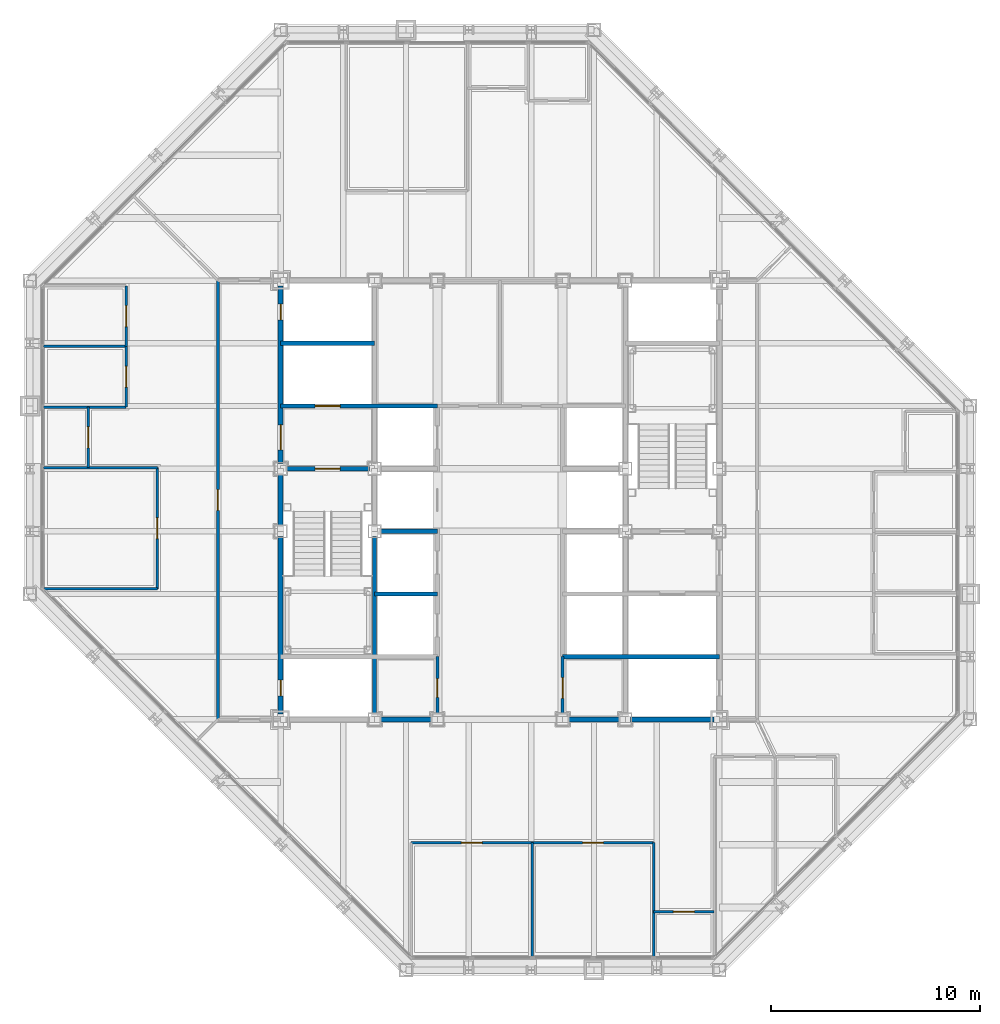
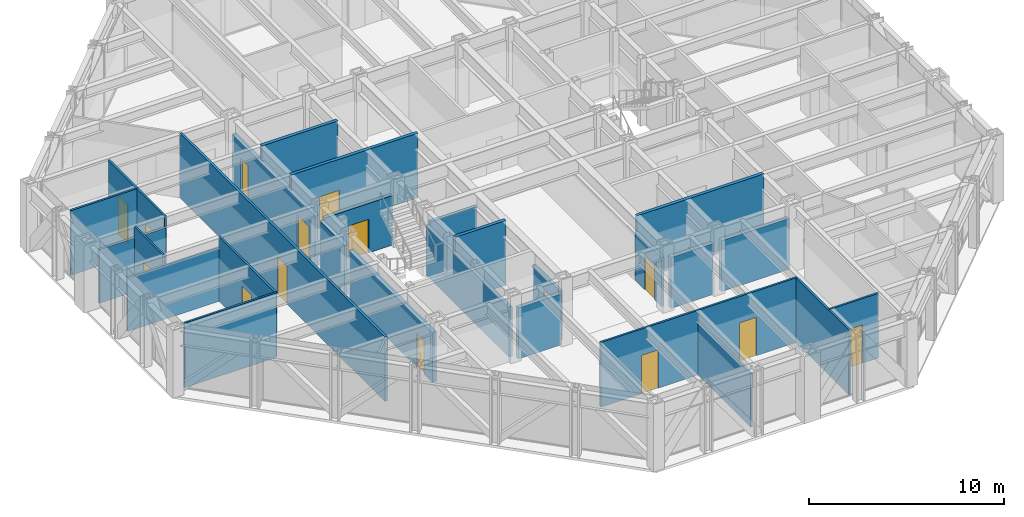
# One storey, part 11 of 16: 29 walls, 15 doors, 15 openings.
"""IFC4 building model written with IfcOpenShell, lengths in metres."""

from ifc_helpers import new_model, si_unit, direction, frame, frame_2d, origin, place, context, subcontext, project, spatial, rectangle, extrude, material, layer, layer_set, type_object, element, fill, save


model = new_model("IFC4")

# Units and contexts
model_context = context("Model", 3, precision=1e-05, world=origin(), true_north=direction((0.0, 1.0)))
body_context = subcontext(model_context, "Body", "Model", "MODEL_VIEW")
ifc_project = project(units=[si_unit("LENGTHUNIT", "METRE"), si_unit("AREAUNIT", "SQUARE_METRE"), si_unit("VOLUMEUNIT", "CUBIC_METRE"), si_unit("PLANEANGLEUNIT", "RADIAN"), si_unit("MASSUNIT", "GRAM", prefix="KILO")], contexts=[model_context])

# Site, building, storey
site_placement = place(None, origin())
site = spatial("IfcSite", under=ifc_project, at=site_placement, CompositionType="ELEMENT")
building_placement = place(site_placement, origin())
building = spatial("IfcBuilding", under=site, at=building_placement, Name="Chuquiago Exchange Tower", CompositionType="ELEMENT")
storey_placement = place(building_placement, frame((0.0, 0.0, 213.89990234375)))
storey = spatial("IfcBuildingStorey", under=building, at=storey_placement, Name="L47", CompositionType="ELEMENT", Elevation=213.89990234375)

# Wall, opening, door
ifc_material_1 = material(Name="Concrete masonry, fully grouted", Category="masonry")
ifc_layer_1 = layer(ifc_material_1, 0.25)
ifc_layer_set_1 = layer_set([ifc_layer_1], Name="W1 core wall 250")
wall_type_1 = type_object("IfcWallType", Name="W1 core wall 250", PredefinedType="SOLIDWALL", material=ifc_layer_set_1)
wall_1_placement = place(storey_placement, frame((12.0, 12.25, 0.0), z_axis=(0.0, 0.0, 1.0), x_axis=(0.0, 1.0, 0.0)))
wall_1 = element("IfcWall", 1, at=wall_1_placement, inside=storey, type_object=wall_type_1, Name="CW-L47-00-0", PredefinedType="SOLIDWALL", context=body_context, shape_type="SweptSolid", body=[
    extrude(rectangle(XDim=8.5, YDim=0.25, at=frame_2d((4.25, 0.0))), origin(), (0.0, 0.0, 1.0), 3.113037109375),
])
opening_1_placement = place(wall_1_placement, frame((0.875, 0.0, 0.0)))
opening_1 = element("IfcOpeningElement", 2, at=opening_1_placement, cuts=wall_1, Name="Opening L47-007", PredefinedType="OPENING", context=body_context, shape_type="SweptSolid", body=[
    extrude(rectangle(XDim=0.75, YDim=2.10009765625, at=frame_2d((0.375, 1.050048828125))), frame((0.0, 0.135009765625, 0.0), z_axis=(0.0, -1.0, 0.0), x_axis=(1.0, 0.0, 0.0)), (0.0, 0.0, 1.0), 0.27001953125),
])
ifc_material_2 = material(Name="Steel door, painted", Category="steel")
door_type_1 = type_object("IfcDoorType", Name="D6 riser access door 750x2100", OperationType="SINGLE_SWING_LEFT", PredefinedType="DOOR", material=ifc_material_2)
door_1_placement = place(opening_1_placement, origin())
door_1 = element("IfcDoor", 3, at=door_1_placement, inside=storey, type_object=door_type_1, Name="Riser RW1 door", OperationType="SINGLE_SWING_LEFT", OverallHeight=2.10009765625, OverallWidth=0.75, PredefinedType="DOOR", context=body_context, shape_type="SweptSolid", body=[
    extrude(rectangle(XDim=0.75, YDim=2.10009765625, at=frame_2d((0.375, 1.050048828125))), frame((0.0, 0.02490234375, 0.0), z_axis=(0.0, -1.0, 0.0), x_axis=(1.0, 0.0, 0.0)), (0.0, 0.0, 1.0), 0.050048828125),
])
fill(opening_1, door_1)

# Wall
wall_2_placement = place(storey_placement, frame((12.0, 21.25, 0.0), z_axis=(0.0, 0.0, 1.0), x_axis=(0.0, 1.0, 0.0)))
element("IfcWall", 4, at=wall_2_placement, inside=storey, type_object=wall_type_1, Name="CW-L47-00-1", PredefinedType="SOLIDWALL", context=body_context, shape_type="SweptSolid", body=[
    extrude(rectangle(XDim=2.5, YDim=0.25, at=frame_2d((1.25, 0.0))), origin(), (0.0, 0.0, 1.0), 3.113037109375),
])

# Wall, openings, doors
wall_3_placement = place(storey_placement, frame((12.0, 24.25, 0.0), z_axis=(0.0, 0.0, 1.0), x_axis=(0.0, 1.0, 0.0)))
wall_3 = element("IfcWall", 5, at=wall_3_placement, inside=storey, type_object=wall_type_1, Name="CW-L47-00-2", PredefinedType="SOLIDWALL", context=body_context, shape_type="SweptSolid", body=[
    extrude(rectangle(XDim=8.5, YDim=0.25, at=frame_2d((4.25, 0.0))), origin(), (0.0, 0.0, 1.0), 3.113037109375),
])
opening_2_placement = place(wall_3_placement, frame((0.64990234375, 0.0, 0.0)))
opening_2 = element("IfcOpeningElement", 6, at=opening_2_placement, cuts=wall_3, Name="Opening L47-002", PredefinedType="OPENING", context=body_context, shape_type="SweptSolid", body=[
    extrude(rectangle(XDim=1.199951171875, YDim=2.10009765625, at=frame_2d((0.60009765625, 1.050048828125))), frame((0.0, 0.135009765625, 0.0), z_axis=(0.0, -1.0, 0.0), x_axis=(1.0, 0.0, 0.0)), (0.0, 0.0, 1.0), 0.27001953125),
])
opening_3_placement = place(wall_3_placement, frame((6.875, 0.0, 0.0)))
opening_3 = element("IfcOpeningElement", 7, at=opening_3_placement, cuts=wall_3, Name="Opening L47-008", PredefinedType="OPENING", context=body_context, shape_type="SweptSolid", body=[
    extrude(rectangle(XDim=0.75, YDim=2.10009765625, at=frame_2d((0.375, 1.050048828125))), frame((0.0, 0.135009765625, 0.0), z_axis=(0.0, -1.0, 0.0), x_axis=(1.0, 0.0, 0.0)), (0.0, 0.0, 1.0), 0.27001953125),
])
ifc_material_3 = material(Name="Steel door, painted", Category="steel")
door_type_2 = type_object("IfcDoorType", Name="D5 firefighting lobby door 1200x2100", OperationType="SINGLE_SWING_LEFT", PredefinedType="DOOR", material=ifc_material_3)
door_2_placement = place(opening_2_placement, frame((1.199951171875, 0.0, 0.0), z_axis=(0.0, 0.0, 1.0), x_axis=(-1.0, 0.0, 0.0)))
door_2 = element("IfcDoor", 8, at=door_2_placement, inside=storey, type_object=door_type_2, Name="Firefighting lobby 1 door", OperationType="SINGLE_SWING_RIGHT", OverallHeight=2.10009765625, OverallWidth=1.199951171875, PredefinedType="DOOR", context=body_context, shape_type="SweptSolid", body=[
    extrude(rectangle(XDim=1.199951171875, YDim=2.10009765625, at=frame_2d((0.60009765625, 1.050048828125))), frame((0.0, 0.02490234375, 0.0), z_axis=(0.0, -1.0, 0.0), x_axis=(1.0, 0.0, 0.0)), (0.0, 0.0, 1.0), 0.050048828125),
])
fill(opening_2, door_2)
door_3_placement = place(opening_3_placement, origin())
door_3 = element("IfcDoor", 9, at=door_3_placement, inside=storey, type_object=door_type_1, Name="Riser RW2 door", OperationType="SINGLE_SWING_RIGHT", OverallHeight=2.10009765625, OverallWidth=0.75, PredefinedType="DOOR", context=body_context, shape_type="SweptSolid", body=[
    extrude(rectangle(XDim=0.75, YDim=2.10009765625, at=frame_2d((0.375, 1.050048828125))), frame((0.0, 0.02490234375, 0.0), z_axis=(0.0, -1.0, 0.0), x_axis=(1.0, 0.0, 0.0)), (0.0, 0.0, 1.0), 0.050048828125),
])
fill(opening_3, door_3)

# Walls
for number, where, z_axis, x_axis, name in (
    (10, (16.75, 12.0, 0.0), (0.0, 0.0, 1.0), (1.0, 0.0, 0.0), "CW-L47-01-1"),
    (11, (25.75, 12.0, 0.0), (0.0, 0.0, 1.0), (1.0, 0.0, 0.0), "CW-L47-02-0"),
):
    element("IfcWall", number, at=place(storey_placement, frame(where, z_axis=z_axis, x_axis=x_axis)), inside=storey, type_object=wall_type_1, Name=name, PredefinedType="SOLIDWALL", context=body_context, shape_type="SweptSolid", body=[
        extrude(rectangle(XDim=2.5, YDim=0.25, at=frame_2d((1.25, 0.0))), origin(), (0.0, 0.0, 1.0), 3.181640625),
    ])
wall_4_placement = place(storey_placement, frame((28.75, 12.0, 0.0), z_axis=(0.0, 0.0, 1.0), x_axis=(1.0, 0.0, 0.0)))
element("IfcWall", 12, at=wall_4_placement, inside=storey, type_object=wall_type_1, Name="CW-L47-02-1", PredefinedType="SOLIDWALL", context=body_context, shape_type="SweptSolid", body=[
    extrude(rectangle(XDim=4.0, YDim=0.25, at=frame_2d((2.0, 0.0))), origin(), (0.0, 0.0, 1.0), 3.181640625),
])

# Wall, opening, door
ifc_material_4 = material(Name="Gypsum board on steel studs, acoustic insulation", Category="steel")
ifc_layer_2 = layer(ifc_material_4, 0.14990234375)
ifc_layer_set_2 = layer_set([ifc_layer_2], Name="W11 corridor wall 150")
wall_type_2 = type_object("IfcWallType", Name="W11 corridor wall 150", PredefinedType="PARTITIONING", material=ifc_layer_set_2)
wall_5_placement = place(storey_placement, frame((9.0, 12.0, 0.0), z_axis=(0.0, 0.0, 1.0), x_axis=(0.0, 1.0, 0.0)))
wall_5 = element("IfcWall", 13, at=wall_5_placement, inside=storey, type_object=wall_type_2, Name="PW-L47-GW0", PredefinedType="PARTITIONING", context=body_context, shape_type="SweptSolid", body=[
    extrude(rectangle(XDim=21.0, YDim=0.14990234375, at=frame_2d((10.5, 0.0))), origin(), (0.0, 0.0, 1.0), 4.0400390625),
])
opening_4_placement = place(wall_5_placement, frame((10.0, 0.0, 0.0)))
opening_4 = element("IfcOpeningElement", 14, at=opening_4_placement, cuts=wall_5, Name="Opening L47-035", PredefinedType="OPENING", context=body_context, shape_type="SweptSolid", body=[
    extrude(rectangle(XDim=1.0, YDim=2.39990234375, at=frame_2d((0.5, 1.199951171875))), frame((0.0, 0.0849609375, 0.0), z_axis=(0.0, -1.0, 0.0), x_axis=(1.0, 0.0, 0.0)), (0.0, 0.0, 1.0), 0.169921875),
])
ifc_material_5 = material(Name="Timber door, laminate faced", Category="wood")
door_type_3 = type_object("IfcDoorType", Name="D9 room door 1000x2400", OperationType="SINGLE_SWING_LEFT", PredefinedType="DOOR", material=ifc_material_5)
door_4_placement = place(opening_4_placement, origin())
door_4 = element("IfcDoor", 15, at=door_4_placement, inside=storey, type_object=door_type_3, Name="Team area door", OperationType="SINGLE_SWING_LEFT", OverallHeight=2.39990234375, OverallWidth=1.0, PredefinedType="DOOR", context=body_context, shape_type="SweptSolid", body=[
    extrude(rectangle(XDim=1.0, YDim=2.39990234375, at=frame_2d((0.5, 1.199951171875))), frame((0.0, 0.02490234375, 0.0), z_axis=(0.0, -1.0, 0.0), x_axis=(1.0, 0.0, 0.0)), (0.0, 0.0, 1.0), 0.050048828125),
])
fill(opening_4, door_4)

# Wall
ifc_material_6 = material(Name="Concrete masonry, fully grouted", Category="masonry")
ifc_layer_3 = layer(ifc_material_6, 0.199951171875)
ifc_layer_set_3 = layer_set([ifc_layer_3], Name="W2 shaft wall 200")
wall_type_3 = type_object("IfcWallType", Name="W2 shaft wall 200", PredefinedType="SOLIDWALL", material=ifc_layer_set_3)
wall_6_placement = place(storey_placement, frame((25.5, 15.0, 0.0), z_axis=(0.0, 0.0, 1.0), x_axis=(1.0, 0.0, 0.0)))
element("IfcWall", 16, at=wall_6_placement, inside=storey, type_object=wall_type_3, Name="CW-L47-04-0", PredefinedType="SOLIDWALL", context=body_context, shape_type="SweptSolid", body=[
    extrude(rectangle(XDim=7.5, YDim=0.199951171875, at=frame_2d((3.75, 0.0))), origin(), (0.0, 0.0, 1.0), 4.0400390625),
])

# Wall, opening, door
wall_7_placement = place(storey_placement, frame((12.25, 24.0, 0.0), z_axis=(0.0, 0.0, 1.0), x_axis=(1.0, 0.0, 0.0)))
wall_7 = element("IfcWall", 17, at=wall_7_placement, inside=storey, type_object=wall_type_3, Name="CW-L47-05-0", PredefinedType="SOLIDWALL", context=body_context, shape_type="SweptSolid", body=[
    extrude(rectangle(XDim=4.0, YDim=0.199951171875, at=frame_2d((2.0, 0.0))), origin(), (0.0, 0.0, 1.0), 3.090087890625),
])
opening_5_placement = place(wall_7_placement, frame((1.39990234375, 0.0, 0.0)))
opening_5 = element("IfcOpeningElement", 18, at=opening_5_placement, cuts=wall_7, Name="Opening L47-001", PredefinedType="OPENING", context=body_context, shape_type="SweptSolid", body=[
    extrude(rectangle(XDim=1.199951171875, YDim=2.10009765625, at=frame_2d((0.60009765625, 1.050048828125))), frame((0.0, 0.10986328125, 0.0), z_axis=(0.0, -1.0, 0.0), x_axis=(1.0, 0.0, 0.0)), (0.0, 0.0, 1.0), 0.219970703125),
])
ifc_material_7 = material(Name="Steel door, painted", Category="steel")
door_type_4 = type_object("IfcDoorType", Name="D4 stair door 1200x2100", OperationType="SINGLE_SWING_LEFT", PredefinedType="DOOR", material=ifc_material_7)
door_5_placement = place(opening_5_placement, frame((1.199951171875, 0.0, 0.0), z_axis=(0.0, 0.0, 1.0), x_axis=(-1.0, 0.0, 0.0)))
door_5 = element("IfcDoor", 19, at=door_5_placement, inside=storey, type_object=door_type_4, Name="Stair ST1 door", OperationType="SINGLE_SWING_RIGHT", OverallHeight=2.10009765625, OverallWidth=1.199951171875, PredefinedType="DOOR", context=body_context, shape_type="SweptSolid", body=[
    extrude(rectangle(XDim=1.199951171875, YDim=2.10009765625, at=frame_2d((0.60009765625, 1.050048828125))), frame((0.0, 0.02490234375, 0.0), z_axis=(0.0, -1.0, 0.0), x_axis=(1.0, 0.0, 0.0)), (0.0, 0.0, 1.0), 0.050048828125),
])
fill(opening_5, door_5)

wall_8_placement = place(storey_placement, frame((12.0, 27.0, 0.0), z_axis=(0.0, 0.0, 1.0), x_axis=(1.0, 0.0, 0.0)))
wall_8 = element("IfcWall", 20, at=wall_8_placement, inside=storey, type_object=wall_type_3, Name="CW-L47-07-0", PredefinedType="SOLIDWALL", context=body_context, shape_type="SweptSolid", body=[
    extrude(rectangle(XDim=7.5, YDim=0.199951171875, at=frame_2d((3.75, 0.0))), origin(), (0.0, 0.0, 1.0), 4.0400390625),
])
opening_6_placement = place(wall_8_placement, frame((1.64990234375, 0.0, 0.0)))
opening_6 = element("IfcOpeningElement", 21, at=opening_6_placement, cuts=wall_8, Name="Opening L47-005", PredefinedType="OPENING", context=body_context, shape_type="SweptSolid", body=[
    extrude(rectangle(XDim=1.199951171875, YDim=2.10009765625, at=frame_2d((0.60009765625, 1.050048828125))), frame((0.0, 0.10986328125, 0.0), z_axis=(0.0, -1.0, 0.0), x_axis=(1.0, 0.0, 0.0)), (0.0, 0.0, 1.0), 0.219970703125),
])
ifc_material_8 = material(Name="Stainless steel lift landing door", Category="steel")
door_type_5 = type_object("IfcDoorType", Name="LD2 firefighting lift landing door 1200x2100", OperationType="DOUBLE_DOOR_SLIDING", PredefinedType="DOOR", material=ifc_material_8)
door_6_placement = place(opening_6_placement, origin())
door_6 = element("IfcDoor", 22, at=door_6_placement, inside=storey, type_object=door_type_5, Name="Firefighting lift FL1 landing door", OperationType="DOUBLE_DOOR_SLIDING", OverallHeight=2.10009765625, OverallWidth=1.199951171875, PredefinedType="DOOR", context=body_context, shape_type="SweptSolid", body=[
    extrude(rectangle(XDim=1.199951171875, YDim=2.10009765625, at=frame_2d((0.60009765625, 1.050048828125))), frame((0.0, 0.02490234375, 0.0), z_axis=(0.0, -1.0, 0.0), x_axis=(1.0, 0.0, 0.0)), (0.0, 0.0, 1.0), 0.050048828125),
])
fill(opening_6, door_6)

# Walls
wall_9_placement = place(storey_placement, frame((12.0, 30.0, 0.0), z_axis=(0.0, 0.0, 1.0), x_axis=(1.0, 0.0, 0.0)))
element("IfcWall", 23, at=wall_9_placement, inside=storey, type_object=wall_type_3, Name="CW-L47-09-0", PredefinedType="SOLIDWALL", context=body_context, shape_type="SweptSolid", body=[
    extrude(rectangle(XDim=4.5, YDim=0.199951171875, at=frame_2d((2.25, 0.0))), origin(), (0.0, 0.0, 1.0), 4.0400390625),
])
wall_10_placement = place(storey_placement, frame((16.5, 12.25, 0.0), z_axis=(0.0, 0.0, 1.0), x_axis=(0.0, 1.0, 0.0)))
element("IfcWall", 24, at=wall_10_placement, inside=storey, type_object=wall_type_3, Name="CW-L47-13-0", PredefinedType="SOLIDWALL", context=body_context, shape_type="SweptSolid", body=[
    extrude(rectangle(XDim=8.5, YDim=0.199951171875, at=frame_2d((4.25, 0.0))), origin(), (0.0, 0.0, 1.0), 3.113037109375),
])
wall_11_placement = place(storey_placement, frame((16.5, 18.0, 0.0), z_axis=(0.0, 0.0, 1.0), x_axis=(1.0, 0.0, 0.0)))
element("IfcWall", 25, at=wall_11_placement, inside=storey, type_object=wall_type_3, Name="CW-L47-14-0", PredefinedType="SOLIDWALL", context=body_context, shape_type="SweptSolid", body=[
    extrude(rectangle(XDim=3.0, YDim=0.199951171875, at=frame_2d((1.5, 0.0))), origin(), (0.0, 0.0, 1.0), 4.0400390625),
])
wall_12_placement = place(storey_placement, frame((16.75, 21.0, 0.0), z_axis=(0.0, 0.0, 1.0), x_axis=(1.0, 0.0, 0.0)))
element("IfcWall", 26, at=wall_12_placement, inside=storey, type_object=wall_type_3, Name="CW-L47-16-0", PredefinedType="SOLIDWALL", context=body_context, shape_type="SweptSolid", body=[
    extrude(rectangle(XDim=2.75, YDim=0.199951171875, at=frame_2d((1.375, 0.0))), origin(), (0.0, 0.0, 1.0), 3.090087890625),
])

# Wall, opening, door
ifc_material_9 = material(Name="Gypsum board on steel studs", Category="steel")
ifc_layer_4 = layer(ifc_material_9, 0.14990234375)
ifc_layer_set_4 = layer_set([ifc_layer_4], Name="W3 core partition 150")
wall_type_4 = type_object("IfcWallType", Name="W3 core partition 150", PredefinedType="PARTITIONING", material=ifc_layer_set_4)
wall_13_placement = place(storey_placement, frame((19.5, 12.25, 0.0), z_axis=(0.0, 0.0, 1.0), x_axis=(0.0, 1.0, 0.0)))
wall_13 = element("IfcWall", 27, at=wall_13_placement, inside=storey, type_object=wall_type_4, Name="CW-L47-18-0", PredefinedType="PARTITIONING", context=body_context, shape_type="SweptSolid", body=[
    extrude(rectangle(XDim=2.75, YDim=0.14990234375, at=frame_2d((1.375, 0.0))), origin(), (0.0, 0.0, 1.0), 3.064697265625),
])
opening_7_placement = place(wall_13_placement, frame((0.800048828125, 0.0, 0.0)))
opening_7 = element("IfcOpeningElement", 28, at=opening_7_placement, cuts=wall_13, Name="Opening L47-014", PredefinedType="OPENING", context=body_context, shape_type="SweptSolid", body=[
    extrude(rectangle(XDim=0.89990234375, YDim=2.10009765625, at=frame_2d((0.449951171875, 1.050048828125))), frame((0.0, 0.0849609375, 0.0), z_axis=(0.0, -1.0, 0.0), x_axis=(1.0, 0.0, 0.0)), (0.0, 0.0, 1.0), 0.169921875),
])
ifc_material_10 = material(Name="Timber door, laminate faced", Category="wood")
door_type_6 = type_object("IfcDoorType", Name="D7 toilet door 900x2100", OperationType="SINGLE_SWING_LEFT", PredefinedType="DOOR", material=ifc_material_10)
door_7_placement = place(opening_7_placement, frame((0.89990234375, 0.0, 0.0), z_axis=(0.0, 0.0, 1.0), x_axis=(-1.0, 0.0, 0.0)))
door_7 = element("IfcDoor", 29, at=door_7_placement, inside=storey, type_object=door_type_6, Name="Cleaner door", OperationType="SINGLE_SWING_RIGHT", OverallHeight=2.10009765625, OverallWidth=0.89990234375, PredefinedType="DOOR", context=body_context, shape_type="SweptSolid", body=[
    extrude(rectangle(XDim=0.89990234375, YDim=2.10009765625, at=frame_2d((0.449951171875, 1.050048828125))), frame((0.0, 0.02490234375, 0.0), z_axis=(0.0, -1.0, 0.0), x_axis=(1.0, 0.0, 0.0)), (0.0, 0.0, 1.0), 0.050048828125),
])
fill(opening_7, door_7)

wall_14_placement = place(storey_placement, frame((25.5, 12.25, 0.0), z_axis=(0.0, 0.0, 1.0), x_axis=(0.0, 1.0, 0.0)))
wall_14 = element("IfcWall", 30, at=wall_14_placement, inside=storey, type_object=wall_type_4, Name="CW-L47-21-0", PredefinedType="PARTITIONING", context=body_context, shape_type="SweptSolid", body=[
    extrude(rectangle(XDim=2.75, YDim=0.14990234375, at=frame_2d((1.375, 0.0))), origin(), (0.0, 0.0, 1.0), 3.064697265625),
])
opening_8_placement = place(wall_14_placement, frame((0.75, 0.0, 0.0)))
opening_8 = element("IfcOpeningElement", 31, at=opening_8_placement, cuts=wall_14, Name="Opening L47-013", PredefinedType="OPENING", context=body_context, shape_type="SweptSolid", body=[
    extrude(rectangle(XDim=1.0, YDim=2.10009765625, at=frame_2d((0.5, 1.050048828125))), frame((0.0, 0.0849609375, 0.0), z_axis=(0.0, -1.0, 0.0), x_axis=(1.0, 0.0, 0.0)), (0.0, 0.0, 1.0), 0.169921875),
])
ifc_material_11 = material(Name="Timber door, laminate faced", Category="wood")
door_type_7 = type_object("IfcDoorType", Name="D8 accessible toilet door 1000x2100", OperationType="SLIDING_TO_LEFT", PredefinedType="DOOR", material=ifc_material_11)
door_8_placement = place(opening_8_placement, origin())
door_8 = element("IfcDoor", 32, at=door_8_placement, inside=storey, type_object=door_type_7, Name="Accessible WC door", OperationType="SLIDING_TO_LEFT", OverallHeight=2.10009765625, OverallWidth=1.0, PredefinedType="DOOR", context=body_context, shape_type="SweptSolid", body=[
    extrude(rectangle(XDim=1.0, YDim=2.10009765625, at=frame_2d((0.5, 1.050048828125))), frame((0.0, 0.02490234375, 0.0), z_axis=(0.0, -1.0, 0.0), x_axis=(1.0, 0.0, 0.0)), (0.0, 0.0, 1.0), 0.050048828125),
])
fill(opening_8, door_8)

# Walls
ifc_material_12 = material(Name="Gypsum board on steel studs", Category="steel")
ifc_layer_5 = layer(ifc_material_12, 0.1201171875)
ifc_layer_set_5 = layer_set([ifc_layer_5], Name="W4 partition 120")
wall_type_5 = type_object("IfcWallType", Name="W4 partition 120", PredefinedType="PARTITIONING", material=ifc_layer_set_5)
wall_15_placement = place(storey_placement, frame((24.0498046875, 0.652587890625, 0.0), z_axis=(0.0, 0.0, 1.0), x_axis=(0.0, 1.0, 0.0)))
element("IfcWall", 33, at=wall_15_placement, inside=storey, type_object=wall_type_5, Name="PW-L47-S02405", PredefinedType="PARTITIONING", context=body_context, shape_type="SweptSolid", body=[
    extrude(rectangle(XDim=5.447509765625, YDim=0.1201171875, at=frame_2d((2.7236328125, 0.0))), origin(), (0.0, 0.0, 1.0), 3.35693359375),
])
wall_16_placement = place(storey_placement, frame((29.850830078125, 0.652587890625, 0.0), z_axis=(0.0, 0.0, 1.0), x_axis=(0.0, 1.0, 0.0)))
element("IfcWall", 34, at=wall_16_placement, inside=storey, type_object=wall_type_5, Name="PW-L47-S02985", PredefinedType="PARTITIONING", context=body_context, shape_type="SweptSolid", body=[
    extrude(rectangle(XDim=5.447509765625, YDim=0.1201171875, at=frame_2d((2.7236328125, 0.0))), origin(), (0.0, 0.0, 1.0), 4.0400390625),
])

# Wall, opening, door
wall_17_placement = place(storey_placement, frame((18.24853515625, 6.10009765625, 0.0), z_axis=(0.0, 0.0, 1.0), x_axis=(1.0, 0.0, 0.0)))
wall_17 = element("IfcWall", 35, at=wall_17_placement, inside=storey, type_object=wall_type_5, Name="PW-L47-SF01825", PredefinedType="PARTITIONING", context=body_context, shape_type="SweptSolid", body=[
    extrude(rectangle(XDim=5.80126953125, YDim=0.1201171875, at=frame_2d((2.900634765625, 0.0))), origin(), (0.0, 0.0, 1.0), 4.0400390625),
])
opening_9_placement = place(wall_17_placement, frame((2.400634765625, 0.0, 0.0)))
opening_9 = element("IfcOpeningElement", 36, at=opening_9_placement, cuts=wall_17, Name="Opening L47-019", PredefinedType="OPENING", context=body_context, shape_type="SweptSolid", body=[
    extrude(rectangle(XDim=1.0, YDim=2.39990234375, at=frame_2d((0.5, 1.199951171875))), frame((0.0, 0.070068359375, 0.0), z_axis=(0.0, -1.0, 0.0), x_axis=(1.0, 0.0, 0.0)), (0.0, 0.0, 1.0), 0.14013671875),
])
door_9_placement = place(opening_9_placement, frame((1.0, 0.0, 0.0), z_axis=(0.0, 0.0, 1.0), x_axis=(-1.0, 0.0, 0.0)))
door_9 = element("IfcDoor", 37, at=door_9_placement, inside=storey, type_object=door_type_3, Name="Listing office door", OperationType="SINGLE_SWING_RIGHT", OverallHeight=2.39990234375, OverallWidth=1.0, PredefinedType="DOOR", context=body_context, shape_type="SweptSolid", body=[
    extrude(rectangle(XDim=1.0, YDim=2.39990234375, at=frame_2d((0.5, 1.199951171875))), frame((0.0, 0.02490234375, 0.0), z_axis=(0.0, -1.0, 0.0), x_axis=(1.0, 0.0, 0.0)), (0.0, 0.0, 1.0), 0.050048828125),
])
fill(opening_9, door_9)

wall_18_placement = place(storey_placement, frame((24.0498046875, 6.10009765625, 0.0), z_axis=(0.0, 0.0, 1.0), x_axis=(1.0, 0.0, 0.0)))
wall_18 = element("IfcWall", 38, at=wall_18_placement, inside=storey, type_object=wall_type_5, Name="PW-L47-SF02405", PredefinedType="PARTITIONING", context=body_context, shape_type="SweptSolid", body=[
    extrude(rectangle(XDim=5.801025390625, YDim=0.1201171875, at=frame_2d((2.900390625, 0.0))), origin(), (0.0, 0.0, 1.0), 4.0400390625),
])
opening_10_placement = place(wall_18_placement, frame((2.400634765625, 0.0, 0.0)))
opening_10 = element("IfcOpeningElement", 39, at=opening_10_placement, cuts=wall_18, Name="Opening L47-020", PredefinedType="OPENING", context=body_context, shape_type="SweptSolid", body=[
    extrude(rectangle(XDim=1.0, YDim=2.39990234375, at=frame_2d((0.5, 1.199951171875))), frame((0.0, 0.070068359375, 0.0), z_axis=(0.0, -1.0, 0.0), x_axis=(1.0, 0.0, 0.0)), (0.0, 0.0, 1.0), 0.14013671875),
])
door_10_placement = place(opening_10_placement, frame((1.0, 0.0, 0.0), z_axis=(0.0, 0.0, 1.0), x_axis=(-1.0, 0.0, 0.0)))
door_10 = element("IfcDoor", 40, at=door_10_placement, inside=storey, type_object=door_type_3, Name="Listing office door", OperationType="SINGLE_SWING_LEFT", OverallHeight=2.39990234375, OverallWidth=1.0, PredefinedType="DOOR", context=body_context, shape_type="SweptSolid", body=[
    extrude(rectangle(XDim=1.0, YDim=2.39990234375, at=frame_2d((0.5, 1.199951171875))), frame((0.0, 0.02490234375, 0.0), z_axis=(0.0, -1.0, 0.0), x_axis=(1.0, 0.0, 0.0)), (0.0, 0.0, 1.0), 0.050048828125),
])
fill(opening_10, door_10)

wall_19_placement = place(storey_placement, frame((29.850830078125, 2.800048828125, 0.0), z_axis=(0.0, 0.0, 1.0), x_axis=(1.0, 0.0, 0.0)))
wall_19 = element("IfcWall", 41, at=wall_19_placement, inside=storey, type_object=wall_type_5, Name="PW-L47-SF02985", PredefinedType="PARTITIONING", context=body_context, shape_type="SweptSolid", body=[
    extrude(rectangle(XDim=2.900634765625, YDim=0.1201171875, at=frame_2d((1.4501953125, 0.0))), origin(), (0.0, 0.0, 1.0), 4.0400390625),
])
opening_11_placement = place(wall_19_placement, frame((0.9501953125, 0.0, 0.0)))
opening_11 = element("IfcOpeningElement", 42, at=opening_11_placement, cuts=wall_19, Name="Opening L47-021", PredefinedType="OPENING", context=body_context, shape_type="SweptSolid", body=[
    extrude(rectangle(XDim=1.0, YDim=2.39990234375, at=frame_2d((0.5, 1.199951171875))), frame((0.0, 0.070068359375, 0.0), z_axis=(0.0, -1.0, 0.0), x_axis=(1.0, 0.0, 0.0)), (0.0, 0.0, 1.0), 0.14013671875),
])
ifc_material_13 = material(Name="Timber frame door, full height glazed panel", Category="wood")
door_type_8 = type_object("IfcDoorType", Name="D14 glazed meeting room door 1000x2400", OperationType="SINGLE_SWING_LEFT", PredefinedType="DOOR", material=ifc_material_13)
door_11_placement = place(opening_11_placement, frame((1.0, 0.0, 0.0), z_axis=(0.0, 0.0, 1.0), x_axis=(-1.0, 0.0, 0.0)))
door_11 = element("IfcDoor", 43, at=door_11_placement, inside=storey, type_object=door_type_8, Name="Focus room door", OperationType="SINGLE_SWING_RIGHT", OverallHeight=2.39990234375, OverallWidth=1.0, PredefinedType="DOOR", context=body_context, shape_type="SweptSolid", body=[
    extrude(rectangle(XDim=1.0, YDim=2.39990234375, at=frame_2d((0.5, 1.199951171875))), frame((0.0, 0.02490234375, 0.0), z_axis=(0.0, -1.0, 0.0), x_axis=(1.0, 0.0, 0.0)), (0.0, 0.0, 1.0), 0.050048828125),
])
fill(opening_11, door_11)

# Walls
wall_20_placement = place(storey_placement, frame((0.666015625, 18.24853515625, 0.0), z_axis=(0.0, 0.0, 1.0), x_axis=(1.0, 0.0, 0.0)))
element("IfcWall", 44, at=wall_20_placement, inside=storey, type_object=wall_type_5, Name="PW-L47-W01825", PredefinedType="PARTITIONING", context=body_context, shape_type="SweptSolid", body=[
    extrude(rectangle(XDim=5.43408203125, YDim=0.1201171875, at=frame_2d((2.717041015625, 0.0))), origin(), (0.0, 0.0, 1.0), 4.0400390625),
])
wall_21_placement = place(storey_placement, frame((0.652587890625, 24.0498046875, 0.0), z_axis=(0.0, 0.0, 1.0), x_axis=(1.0, 0.0, 0.0)))
element("IfcWall", 45, at=wall_21_placement, inside=storey, type_object=wall_type_5, Name="PW-L47-W02405", PredefinedType="PARTITIONING", context=body_context, shape_type="SweptSolid", body=[
    extrude(rectangle(XDim=5.447509765625, YDim=0.1201171875, at=frame_2d((2.7236328125, 0.0))), origin(), (0.0, 0.0, 1.0), 3.35693359375),
])
wall_22_placement = place(storey_placement, frame((0.652587890625, 26.9501953125, 0.0), z_axis=(0.0, 0.0, 1.0), x_axis=(1.0, 0.0, 0.0)))
element("IfcWall", 46, at=wall_22_placement, inside=storey, type_object=wall_type_5, Name="PW-L47-W02695", PredefinedType="PARTITIONING", context=body_context, shape_type="SweptSolid", body=[
    extrude(rectangle(XDim=3.947509765625, YDim=0.1201171875, at=frame_2d((1.9736328125, 0.0))), origin(), (0.0, 0.0, 1.0), 3.35693359375),
])
wall_23_placement = place(storey_placement, frame((0.652587890625, 29.850830078125, 0.0), z_axis=(0.0, 0.0, 1.0), x_axis=(1.0, 0.0, 0.0)))
element("IfcWall", 47, at=wall_23_placement, inside=storey, type_object=wall_type_5, Name="PW-L47-W02985", PredefinedType="PARTITIONING", context=body_context, shape_type="SweptSolid", body=[
    extrude(rectangle(XDim=3.947509765625, YDim=0.1201171875, at=frame_2d((1.9736328125, 0.0))), origin(), (0.0, 0.0, 1.0), 4.0400390625),
])

# Wall, opening, door
wall_24_placement = place(storey_placement, frame((6.10009765625, 18.24853515625, 0.0), z_axis=(0.0, 0.0, 1.0), x_axis=(0.0, 1.0, 0.0)))
wall_24 = element("IfcWall", 48, at=wall_24_placement, inside=storey, type_object=wall_type_5, Name="PW-L47-WF01825", PredefinedType="PARTITIONING", context=body_context, shape_type="SweptSolid", body=[
    extrude(rectangle(XDim=5.80126953125, YDim=0.1201171875, at=frame_2d((2.900634765625, 0.0))), origin(), (0.0, 0.0, 1.0), 4.0400390625),
])
opening_12_placement = place(wall_24_placement, frame((2.400634765625, 0.0, 0.0)))
opening_12 = element("IfcOpeningElement", 49, at=opening_12_placement, cuts=wall_24, Name="Opening L47-031", PredefinedType="OPENING", context=body_context, shape_type="SweptSolid", body=[
    extrude(rectangle(XDim=1.0, YDim=2.39990234375, at=frame_2d((0.5, 1.199951171875))), frame((0.0, 0.070068359375, 0.0), z_axis=(0.0, -1.0, 0.0), x_axis=(1.0, 0.0, 0.0)), (0.0, 0.0, 1.0), 0.14013671875),
])
door_12_placement = place(opening_12_placement, origin())
door_12 = element("IfcDoor", 50, at=door_12_placement, inside=storey, type_object=door_type_3, Name="Listing office door", OperationType="SINGLE_SWING_LEFT", OverallHeight=2.39990234375, OverallWidth=1.0, PredefinedType="DOOR", context=body_context, shape_type="SweptSolid", body=[
    extrude(rectangle(XDim=1.0, YDim=2.39990234375, at=frame_2d((0.5, 1.199951171875))), frame((0.0, 0.02490234375, 0.0), z_axis=(0.0, -1.0, 0.0), x_axis=(1.0, 0.0, 0.0)), (0.0, 0.0, 1.0), 0.050048828125),
])
fill(opening_12, door_12)

wall_25_placement = place(storey_placement, frame((2.800048828125, 24.0498046875, 0.0), z_axis=(0.0, 0.0, 1.0), x_axis=(0.0, 1.0, 0.0)))
wall_25 = element("IfcWall", 51, at=wall_25_placement, inside=storey, type_object=wall_type_5, Name="PW-L47-WF02405", PredefinedType="PARTITIONING", context=body_context, shape_type="SweptSolid", body=[
    extrude(rectangle(XDim=2.900390625, YDim=0.1201171875, at=frame_2d((1.4501953125, 0.0))), origin(), (0.0, 0.0, 1.0), 4.0400390625),
])
opening_13_placement = place(wall_25_placement, frame((0.9501953125, 0.0, 0.0)))
opening_13 = element("IfcOpeningElement", 52, at=opening_13_placement, cuts=wall_25, Name="Opening L47-032", PredefinedType="OPENING", context=body_context, shape_type="SweptSolid", body=[
    extrude(rectangle(XDim=1.0, YDim=2.39990234375, at=frame_2d((0.5, 1.199951171875))), frame((0.0, 0.070068359375, 0.0), z_axis=(0.0, -1.0, 0.0), x_axis=(1.0, 0.0, 0.0)), (0.0, 0.0, 1.0), 0.14013671875),
])
door_13_placement = place(opening_13_placement, origin())
door_13 = element("IfcDoor", 53, at=door_13_placement, inside=storey, type_object=door_type_8, Name="Focus room door", OperationType="SINGLE_SWING_RIGHT", OverallHeight=2.39990234375, OverallWidth=1.0, PredefinedType="DOOR", context=body_context, shape_type="SweptSolid", body=[
    extrude(rectangle(XDim=1.0, YDim=2.39990234375, at=frame_2d((0.5, 1.199951171875))), frame((0.0, 0.02490234375, 0.0), z_axis=(0.0, -1.0, 0.0), x_axis=(1.0, 0.0, 0.0)), (0.0, 0.0, 1.0), 0.050048828125),
])
fill(opening_13, door_13)

wall_26_placement = place(storey_placement, frame((4.60009765625, 26.9501953125, 0.0), z_axis=(0.0, 0.0, 1.0), x_axis=(0.0, 1.0, 0.0)))
wall_26 = element("IfcWall", 54, at=wall_26_placement, inside=storey, type_object=wall_type_5, Name="PW-L47-WF02695", PredefinedType="PARTITIONING", context=body_context, shape_type="SweptSolid", body=[
    extrude(rectangle(XDim=2.900634765625, YDim=0.1201171875, at=frame_2d((1.4501953125, 0.0))), origin(), (0.0, 0.0, 1.0), 4.0400390625),
])
opening_14_placement = place(wall_26_placement, frame((0.9501953125, 0.0, 0.0)))
opening_14 = element("IfcOpeningElement", 55, at=opening_14_placement, cuts=wall_26, Name="Opening L47-033", PredefinedType="OPENING", context=body_context, shape_type="SweptSolid", body=[
    extrude(rectangle(XDim=1.0, YDim=2.39990234375, at=frame_2d((0.5, 1.199951171875))), frame((0.0, 0.070068359375, 0.0), z_axis=(0.0, -1.0, 0.0), x_axis=(1.0, 0.0, 0.0)), (0.0, 0.0, 1.0), 0.14013671875),
])
door_14_placement = place(opening_14_placement, origin())
door_14 = element("IfcDoor", 56, at=door_14_placement, inside=storey, type_object=door_type_3, Name="Office door", OperationType="SINGLE_SWING_LEFT", OverallHeight=2.39990234375, OverallWidth=1.0, PredefinedType="DOOR", context=body_context, shape_type="SweptSolid", body=[
    extrude(rectangle(XDim=1.0, YDim=2.39990234375, at=frame_2d((0.5, 1.199951171875))), frame((0.0, 0.02490234375, 0.0), z_axis=(0.0, -1.0, 0.0), x_axis=(1.0, 0.0, 0.0)), (0.0, 0.0, 1.0), 0.050048828125),
])
fill(opening_14, door_14)

wall_27_placement = place(storey_placement, frame((4.60009765625, 29.850830078125, 0.0), z_axis=(0.0, 0.0, 1.0), x_axis=(0.0, 1.0, 0.0)))
wall_27 = element("IfcWall", 57, at=wall_27_placement, inside=storey, type_object=wall_type_5, Name="PW-L47-WF02985", PredefinedType="PARTITIONING", context=body_context, shape_type="SweptSolid", body=[
    extrude(rectangle(XDim=2.900634765625, YDim=0.1201171875, at=frame_2d((1.4501953125, 0.0))), origin(), (0.0, 0.0, 1.0), 4.0400390625),
])
opening_15_placement = place(wall_27_placement, frame((0.9501953125, 0.0, 0.0)))
opening_15 = element("IfcOpeningElement", 58, at=opening_15_placement, cuts=wall_27, Name="Opening L47-034", PredefinedType="OPENING", context=body_context, shape_type="SweptSolid", body=[
    extrude(rectangle(XDim=1.0, YDim=2.39990234375, at=frame_2d((0.5, 1.199951171875))), frame((0.0, 0.070068359375, 0.0), z_axis=(0.0, -1.0, 0.0), x_axis=(1.0, 0.0, 0.0)), (0.0, 0.0, 1.0), 0.14013671875),
])
door_15_placement = place(opening_15_placement, origin())
door_15 = element("IfcDoor", 59, at=door_15_placement, inside=storey, type_object=door_type_3, Name="Office door", OperationType="SINGLE_SWING_LEFT", OverallHeight=2.39990234375, OverallWidth=1.0, PredefinedType="DOOR", context=body_context, shape_type="SweptSolid", body=[
    extrude(rectangle(XDim=1.0, YDim=2.39990234375, at=frame_2d((0.5, 1.199951171875))), frame((0.0, 0.02490234375, 0.0), z_axis=(0.0, -1.0, 0.0), x_axis=(1.0, 0.0, 0.0)), (0.0, 0.0, 1.0), 0.050048828125),
])
fill(opening_15, door_15)

save(model, "model.ifc")
